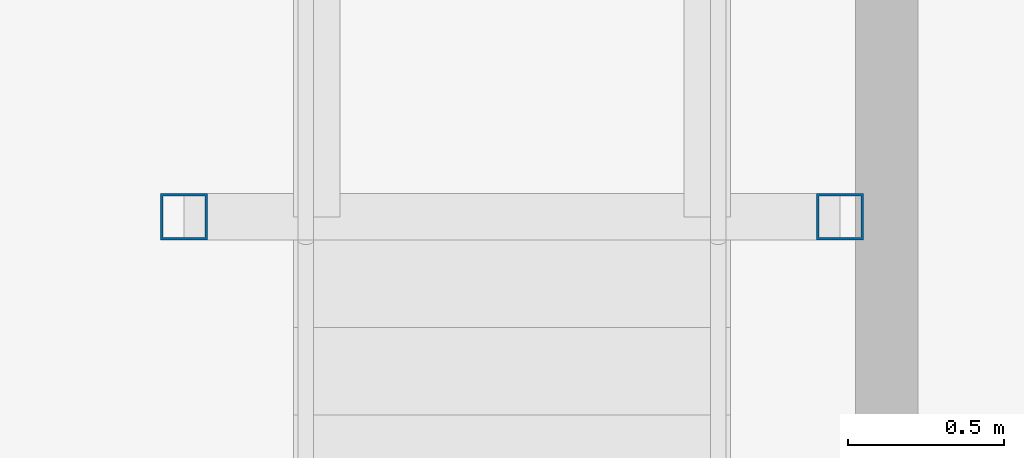
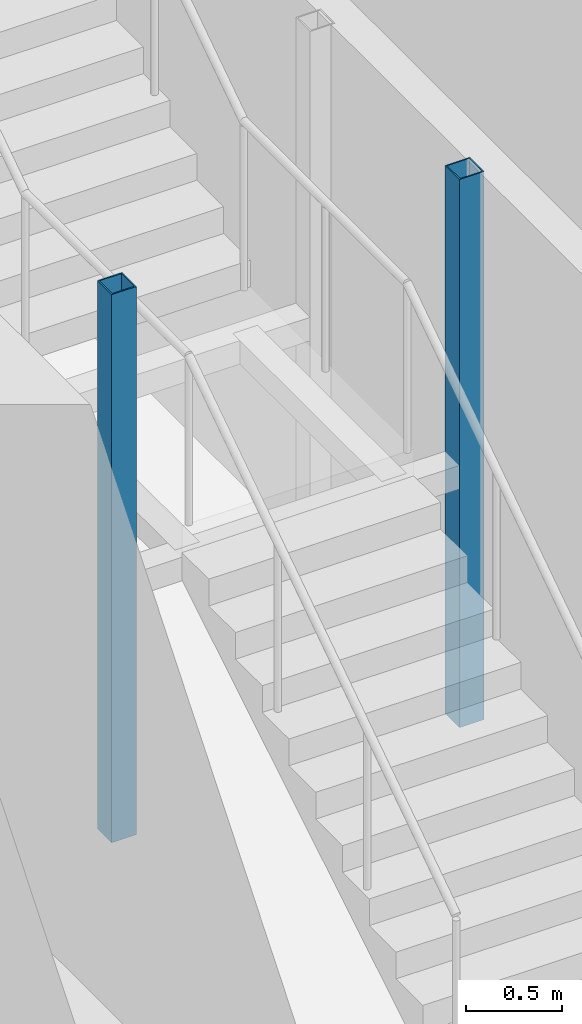
# One storey, part 2 of 29: 2 columns.
"""IFC4 building model written with IfcOpenShell, lengths in metres."""

import ifcopenshell
import ifcopenshell.guid

model = None  # the IFC model being written
_history = None  # IfcOwnerHistory: only IFC2X3 demands one
_inside = {}  # id of a spatial element -> (the spatial element, [elements in it])
_under = {}  # id of a project, library or spatial element -> (it, [spatial elements below it])
_declared = {}  # id of a project -> (the project, [libraries it declares])
_typed = {}  # id of a type object -> (the type object, [elements of that type])
_made_of = {}  # id of a material, layer set ... -> (it, [elements and type objects made of it])


def new_model(schema):
    """Start an empty IFC model of exactly this schema.

    Asked for "IFC4X3", IfcOpenShell would pick the latest addendum, in which some entities
    have other attributes; the version numbers below select the first issue.
    IFC2X3 requires an IfcOwnerHistory on every rooted entity: one is made here for all.
    """
    global model, _history
    if schema == "IFC4X3":
        model = ifcopenshell.file(schema_version=(4, 3, 0, 0))
    else:
        model = ifcopenshell.file(schema=schema)
    _inside.clear()
    _under.clear()
    _declared.clear()
    _typed.clear()
    _made_of.clear()
    _history = None
    if model.schema == "IFC2X3":
        org = make("IfcOrganization", Name="unknown")
        user = make(
            "IfcPersonAndOrganization",
            ThePerson=make("IfcPerson", FamilyName="unknown"),
            TheOrganization=org,
        )
        app = make(
            "IfcApplication",
            ApplicationDeveloper=org,
            Version="unknown",
            ApplicationFullName="unknown",
            ApplicationIdentifier="unknown",
        )
        _history = make(
            "IfcOwnerHistory",
            OwningUser=user,
            OwningApplication=app,
            ChangeAction="ADDED",
            CreationDate=0,
        )
    return model


def make(cls, **values):
    """One entity of the class cls with the attributes given. An attribute that is None is left unset."""
    return model.create_entity(
        cls, **{name: value for name, value in values.items() if value is not None}
    )


def rooted(cls, **values):
    """An entity with a GlobalId (a new one), such as an element, a storey or a relation."""
    return make(cls, GlobalId=ifcopenshell.guid.new(), OwnerHistory=_history, **values)


def si_unit(unit_type, name, prefix=None):
    """IfcSIUnit, for example si_unit("LENGTHUNIT", "METRE", prefix="MILLI")."""
    return make("IfcSIUnit", UnitType=unit_type, Prefix=prefix, Name=name)


def assignment(units):
    """IfcUnitAssignment: the units of a project."""
    return None if units is None else make("IfcUnitAssignment", Units=units)


def point(xyz):
    """IfcCartesianPoint."""
    return None if xyz is None else make("IfcCartesianPoint", Coordinates=xyz)


def direction(xyz):
    """IfcDirection."""
    return None if xyz is None else make("IfcDirection", DirectionRatios=xyz)


def frame(location, z_axis=None, x_axis=None):
    """IfcAxis2Placement3D, a coordinate frame: its origin and axes. An axis left out is left unset."""
    return make(
        "IfcAxis2Placement3D",
        Location=point(location),
        Axis=direction(z_axis),
        RefDirection=direction(x_axis),
    )


def frame_2d(location, x_axis=None):
    """IfcAxis2Placement2D, a coordinate frame in the plane: its origin and x axis."""
    return make(
        "IfcAxis2Placement2D", Location=point(location), RefDirection=direction(x_axis)
    )


def origin():
    """The frame at (0, 0, 0) with its axes left unset."""
    return frame((0.0, 0.0, 0.0))


def origin_2d():
    """The frame at (0, 0) in the plane with its x axis left unset."""
    return frame_2d((0.0, 0.0))


def place(relative_to, where):
    """IfcLocalPlacement: puts the frame where relative to a parent placement (None: the world)."""
    return make(
        "IfcLocalPlacement", PlacementRelTo=relative_to, RelativePlacement=where
    )


def context(
    kind, dimensions, precision=None, world=None, true_north=None, identifier=None
):
    """IfcGeometricRepresentationContext, for example the 3D "Model" context."""
    return make(
        "IfcGeometricRepresentationContext",
        ContextIdentifier=identifier,
        ContextType=kind,
        CoordinateSpaceDimension=dimensions,
        Precision=precision,
        WorldCoordinateSystem=world,
        TrueNorth=true_north,
    )


def subcontext(parent, identifier, kind, view, scale=None):
    """IfcGeometricRepresentationSubContext, for example "Body" below "Model"."""
    return make(
        "IfcGeometricRepresentationSubContext",
        ContextIdentifier=identifier,
        ContextType=kind,
        ParentContext=parent,
        TargetScale=scale,
        TargetView=view,
    )


def project(units=None, contexts=None):
    """IfcProject with its units and contexts."""
    return rooted(
        "IfcProject",
        Name="project",
        RepresentationContexts=contexts,
        UnitsInContext=assignment(units),
    )


def spatial(cls, under=None, at=None, **own):
    """A site, building, storey or space (cls), placed at a placement, below another one or the project."""
    s = rooted(cls, ObjectPlacement=at, **own)
    if under is not None:
        _under.setdefault(under.id(), (under, []))[1].append(s)
    return s


def profile(cls, at=None, kind="AREA", **sizes):
    """A parametric profile (cls). Its sizes go by their IFC names, for example OverallWidth=200.0."""
    return make(cls, ProfileType=kind, Position=at, **sizes)


def hollow_rectangle(**sizes):
    """IfcRectangleHollowProfileDef."""
    return profile("IfcRectangleHollowProfileDef", **sizes)


def extrude(swept, where, along, depth):
    """IfcExtrudedAreaSolid: the profile swept, set in the frame where, extruded along a direction by depth."""
    return make(
        "IfcExtrudedAreaSolid",
        SweptArea=swept,
        Position=where,
        ExtrudedDirection=direction(along),
        Depth=depth,
    )


def shape(context_of_items, identifier, shape_type, items):
    """IfcShapeRepresentation: the items that make up one representation, for example the "Body"."""
    return make(
        "IfcShapeRepresentation",
        ContextOfItems=context_of_items,
        RepresentationIdentifier=identifier,
        RepresentationType=shape_type,
        Items=items,
    )


def material(Name=None, Category=None):
    """IfcMaterial."""
    return make("IfcMaterial", Name=Name, Category=Category)


def material_profile(
    of_material, cross_section, Name=None, Category=None, Priority=None
):
    """IfcMaterialProfile: a cross section and its material."""
    return make(
        "IfcMaterialProfile",
        Name=Name,
        Material=of_material,
        Profile=cross_section,
        Priority=Priority,
        Category=Category,
    )


def profile_set(profiles, Name=None, composite=None):
    """IfcMaterialProfileSet."""
    return make(
        "IfcMaterialProfileSet",
        Name=Name,
        MaterialProfiles=profiles,
        CompositeProfile=composite,
    )


def made_of(thing, what):
    """Note that an element or type object is made of a material, layer set ...; save() writes the relation."""
    if what is not None:
        _made_of.setdefault(what.id(), (what, []))[1].append(thing)
    return thing


def type_object(cls, material=None, **own):
    """A type object (cls), such as IfcWallType, which elements share."""
    return made_of(rooted(cls, **own), material)


def element(
    cls,
    number,
    at=None,
    inside=None,
    cuts=None,
    type_object=None,
    material=None,
    context=None,
    identifier="Body",
    shape_type=None,
    held_by="IfcProductDefinitionShape",
    body=None,
    shapes=None,
    **own,
):
    """One element of the class cls, such as IfcWall. Its Tag is "e" and its number.

    at: its placement. inside: the storey or other place that contains it. cuts: it is an
    opening in that element (IfcRelVoidsElement). A single representation is given by context,
    identifier, shape_type and body (its items); several are given by shapes. held_by: the class
    of the entity that holds the representations. save() writes the other relations.
    """
    e = rooted(cls, Tag="e%d" % number, ObjectPlacement=at, **own)
    if body is not None:
        shapes = [shape(context, identifier, shape_type, body)]
    if shapes is not None:
        e.Representation = make(held_by, Representations=shapes)
    if inside is not None:
        _inside.setdefault(inside.id(), (inside, []))[1].append(e)
    if cuts is not None:
        rooted(
            "IfcRelVoidsElement", RelatingBuildingElement=cuts, RelatedOpeningElement=e
        )
    if type_object is not None:
        _typed.setdefault(type_object.id(), (type_object, []))[1].append(e)
    return made_of(e, material)


def aggregate(whole, parts):
    """IfcRelAggregates: a whole, such as a stair, and the parts it consists of."""
    return rooted("IfcRelAggregates", RelatingObject=whole, RelatedObjects=parts)


def save(model, path):
    """Write the relations noted so far, then the file.

    IfcRelAggregates (storeys below a building ...), IfcRelContainedInSpatialStructure (elements
    in a storey), IfcRelDefinesByType, IfcRelAssociatesMaterial and IfcRelDeclares: one each for
    every whole, place, type object, material and project.
    """
    for whole, parts in _under.values():
        aggregate(whole, parts)
    for where, things in _inside.values():
        rooted(
            "IfcRelContainedInSpatialStructure",
            RelatedElements=things,
            RelatingStructure=where,
        )
    for kind, things in _typed.values():
        rooted("IfcRelDefinesByType", RelatedObjects=things, RelatingType=kind)
    for what, things in _made_of.values():
        rooted("IfcRelAssociatesMaterial", RelatedObjects=things, RelatingMaterial=what)
    for by, libraries in _declared.values():
        rooted("IfcRelDeclares", RelatingContext=by, RelatedDefinitions=libraries)
    model.write(path)


model = new_model("IFC4")

# Units and contexts
model_context = context("Model", 3, precision=1e-05, world=origin(), true_north=direction((0.0, 1.0)))
body_context = subcontext(model_context, "Body", "Model", "MODEL_VIEW")
ifc_project = project(units=[si_unit("LENGTHUNIT", "METRE"), si_unit("AREAUNIT", "SQUARE_METRE"), si_unit("VOLUMEUNIT", "CUBIC_METRE"), si_unit("PLANEANGLEUNIT", "RADIAN"), si_unit("MASSUNIT", "GRAM", prefix="KILO")], contexts=[model_context])

# Site, building, storey
site_placement = place(None, origin())
site = spatial("IfcSite", under=ifc_project, at=site_placement, CompositionType="ELEMENT")
building_placement = place(site_placement, origin())
building = spatial("IfcBuilding", under=site, at=building_placement, Name="Orbita Commons", CompositionType="ELEMENT")
storey_placement = place(building_placement, frame((0.0, 0.0, 148.60009765625)))
storey = spatial("IfcBuildingStorey", under=building, at=storey_placement, Name="L36", CompositionType="ELEMENT", Elevation=148.60009765625)

# Columns
ifc_material = material(Name="Steel ASTM A992", Category="steel")
ifc_material_profile = material_profile(ifc_material, hollow_rectangle(XDim=0.14990234375, YDim=0.14990234375, WallThickness=0.008056640625, at=origin_2d()), Name="SHS 150x150x8")
ifc_profile_set = profile_set([ifc_material_profile], Name="Steel ASTM A992")
column_type = type_object("IfcColumnType", Name="Landing post SHS 150x150x8", PredefinedType="COLUMN", material=ifc_profile_set)
for number, where, z_axis, x_axis, name in (
    (1, (13.35009765625, 40.675048828125, 0.0), (0.0, 0.0, 1.0), (1.0, 0.0, 0.0), "Neighbourhood stair L36 to L37 landing post 1"),
    (2, (15.449951171875, 40.675048828125, 0.0), (0.0, 0.0, 1.0), (1.0, 0.0, 0.0), "Neighbourhood stair L36 to L37 landing post 2"),
):
    element("IfcColumn", number, at=place(storey_placement, frame(where, z_axis=z_axis, x_axis=x_axis)), inside=storey, type_object=column_type, Name=name, PredefinedType="COLUMN", context=body_context, shape_type="SweptSolid", body=[
        extrude(hollow_rectangle(XDim=0.14990234375, YDim=0.14990234375, WallThickness=0.008056640625, at=origin_2d()), origin(), (0.0, 0.0, 1.0), 3.5),
    ])

save(model, "model.ifc")
